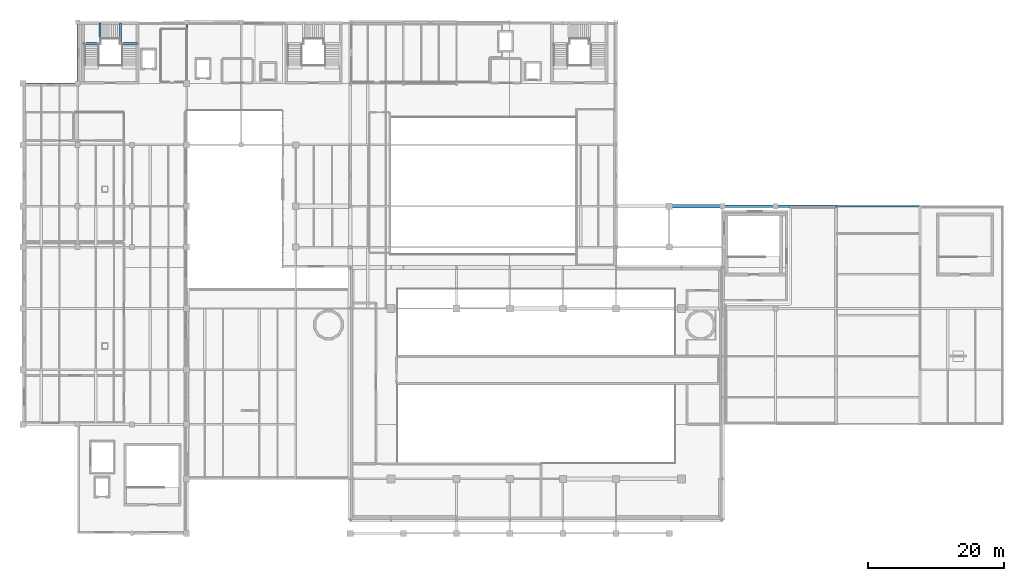
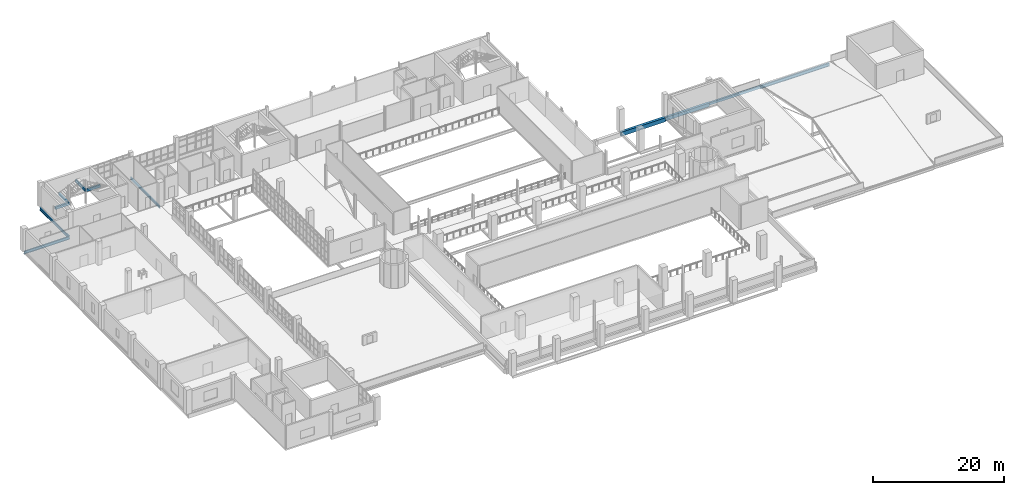
# One storey, part 38 of 85: 11 beams.
"""IFC4 building model written with IfcOpenShell, lengths in metres."""

from ifc_helpers import new_model, si_unit, derived_unit, direction, frame, origin, origin_2d, place, context, subcontext, project, spatial, rectangle, i_section, extrude, material, material_profile, profile_set, type_object, element, save


model = new_model("IFC4")

# Units and contexts
model_context = context("Model", 3, precision=1e-05, world=origin(), true_north=direction((0.0, 1.0)))
body_context = subcontext(model_context, "Body", "Model", "MODEL_VIEW")
ifc_project = project(units=[si_unit("LENGTHUNIT", "METRE"), si_unit("AREAUNIT", "SQUARE_METRE"), si_unit("VOLUMEUNIT", "CUBIC_METRE"), si_unit("PLANEANGLEUNIT", "RADIAN"), si_unit("MASSUNIT", "GRAM", prefix="KILO"), derived_unit("THERMALTRANSMITTANCEUNIT", [(si_unit("POWERUNIT", "WATT"), 1), (si_unit("LENGTHUNIT", "METRE"), -2), (si_unit("THERMODYNAMICTEMPERATUREUNIT", "KELVIN"), -1)])], contexts=[model_context])

# Site, building, storey
site_placement = place(None, origin())
site = spatial("IfcSite", under=ifc_project, at=site_placement, CompositionType="ELEMENT")
building_placement = place(site_placement, origin())
building = spatial("IfcBuilding", under=site, at=building_placement, Name="Nallur Shell Playhouse", CompositionType="ELEMENT")
storey_placement = place(building_placement, frame((0.0, 0.0, 19.800048828125)))
storey = spatial("IfcBuildingStorey", under=building, at=storey_placement, Name="L05", CompositionType="ELEMENT", Elevation=19.800048828125)

# Beams
ifc_material_1 = material(Name="Concrete M35", Category="concrete")
ifc_material_profile_1 = material_profile(ifc_material_1, rectangle(XDim=0.39990234375, YDim=0.64990234375, at=origin_2d()), Name="RC 400x650")
ifc_profile_set_1 = profile_set([ifc_material_profile_1], Name="Concrete M35")
beam_type_1 = type_object("IfcBeamType", Name="BM-RC-400x650", PredefinedType="BEAM", material=ifc_profile_set_1)
beam_1_placement = place(storey_placement, frame((118.60009765625, 56.0, -0.574951171875), z_axis=(1.0, 0.0, 0.0), x_axis=(0.0, 1.0, 0.0)))
element("IfcBeam", 1, at=beam_1_placement, inside=storey, type_object=beam_type_1, Name="L05 girder X-G-975", PredefinedType="BEAM", context=body_context, shape_type="SweptSolid", body=[
    extrude(rectangle(XDim=0.39990234375, YDim=0.64990234375, at=origin_2d()), origin(), (0.0, 0.0, 1.0), 7.7998046875),
])
ifc_material_profile_2 = material_profile(ifc_material_1, rectangle(XDim=0.449951171875, YDim=0.75, at=origin_2d()), Name="RC 450x750")
ifc_profile_set_2 = profile_set([ifc_material_profile_2], Name="Concrete M35")
beam_type_2 = type_object("IfcBeamType", Name="BM-RC-450x750", PredefinedType="BEAM", material=ifc_profile_set_2)
beam_2_placement = place(storey_placement, frame((110.800048828125, 56.0, -0.625), z_axis=(1.0, 0.0, 0.0), x_axis=(0.0, 1.0, 0.0)))
element("IfcBeam", 2, at=beam_2_placement, inside=storey, type_object=beam_type_2, Name="L05 girder X-G-974", PredefinedType="BEAM", context=body_context, shape_type="SweptSolid", body=[
    extrude(rectangle(XDim=0.449951171875, YDim=0.75, at=origin_2d()), origin(), (0.0, 0.0, 1.0), 7.800048828125),
])
ifc_material_profile_3 = material_profile(ifc_material_1, rectangle(XDim=0.300048828125, YDim=0.449951171875, at=origin_2d()), Name="RC 300x450")
ifc_profile_set_3 = profile_set([ifc_material_profile_3], Name="Concrete M35")
beam_type_3 = type_object("IfcBeamType", Name="BM-SPN-300x450", PredefinedType="SPANDREL", material=ifc_profile_set_3)
beam_3_placement = place(storey_placement, frame((126.39990234375, 56.0, -0.485107421875), z_axis=(1.0, 0.0, 0.0), x_axis=(0.0, 1.0, 0.0)))
element("IfcBeam", 3, at=beam_3_placement, inside=storey, type_object=beam_type_3, Name="L05 girder X-G-976", PredefinedType="SPANDREL", context=body_context, shape_type="SweptSolid", body=[
    extrude(rectangle(XDim=0.300048828125, YDim=0.449951171875, at=origin_2d()), origin(), (0.0, 0.0, 1.0), 9.0),
])
beam_4_placement = place(storey_placement, frame((24.820068359375, 79.8798828125, 1.121826171875), z_axis=(1.0, 0.0, 0.0), x_axis=(0.0, 1.0, 0.0)))
element("IfcBeam", 4, at=beam_4_placement, inside=storey, type_object=beam_type_3, Name="Stair ST-06-L05 L1 south bearer beam", PredefinedType="SPANDREL", context=body_context, shape_type="SweptSolid", body=[
    extrude(rectangle(XDim=0.300048828125, YDim=0.449951171875, at=origin_2d()), origin(), (0.0, 0.0, 1.0), 2.559814453125),
])
beam_5_placement = place(storey_placement, frame((27.320068359375, 79.8798828125, 1.121826171875), z_axis=(0.0, 1.0, 0.0), x_axis=(-1.0, 0.0, 0.0)))
element("IfcBeam", 5, at=beam_5_placement, inside=storey, type_object=beam_type_3, Name="Stair ST-06-L05 L1 east bearer beam", PredefinedType="SPANDREL", context=body_context, shape_type="SweptSolid", body=[
    extrude(rectangle(XDim=0.300048828125, YDim=0.449951171875, at=origin_2d()), origin(), (0.0, 0.0, 1.0), 3.0),
])
beam_6_placement = place(storey_placement, frame((30.219970703125, 79.8798828125, 2.528076171875), z_axis=(1.0, 0.0, 0.0), x_axis=(0.0, 1.0, 0.0)))
element("IfcBeam", 6, at=beam_6_placement, inside=storey, type_object=beam_type_3, Name="Stair ST-06-L05 L2 south bearer beam", PredefinedType="SPANDREL", context=body_context, shape_type="SweptSolid", body=[
    extrude(rectangle(XDim=0.300048828125, YDim=0.449951171875, at=origin_2d()), origin(), (0.0, 0.0, 1.0), 2.56005859375),
])
beam_7_placement = place(storey_placement, frame((30.280029296875, 79.8798828125, 2.528076171875), z_axis=(0.0, 1.0, 0.0), x_axis=(-1.0, 0.0, 0.0)))
element("IfcBeam", 7, at=beam_7_placement, inside=storey, type_object=beam_type_3, Name="Stair ST-06-L05 L2 west bearer beam", PredefinedType="SPANDREL", context=body_context, shape_type="SweptSolid", body=[
    extrude(rectangle(XDim=0.300048828125, YDim=0.449951171875, at=origin_2d()), origin(), (0.0, 0.0, 1.0), 3.0),
])
ifc_material_2 = material(Name="Steel E350", Category="steel")
ifc_material_profile_4 = material_profile(ifc_material_2, i_section(OverallWidth=0.18994140625, OverallDepth=0.550048828125, WebThickness=0.01123046875, FlangeThickness=0.019287109375, FilletRadius=0.01806640625, at=origin_2d()), Name="ISMB 550")
ifc_profile_set_4 = profile_set([ifc_material_profile_4], Name="Steel E350")
beam_type_4 = type_object("IfcBeamType", Name="BM-ST-ISMB550", PredefinedType="BEAM", material=ifc_profile_set_4)
beam_8_placement = place(storey_placement, frame((16.0, 74.0, -0.525146484375), z_axis=(1.0, 0.0, 0.0), x_axis=(0.0, 1.0, 0.0)))
element("IfcBeam", 8, at=beam_8_placement, inside=storey, type_object=beam_type_4, Name="L05 girder X-J-985", PredefinedType="BEAM", context=body_context, shape_type="SweptSolid", body=[
    extrude(i_section(OverallWidth=0.18994140625, OverallDepth=0.550048828125, WebThickness=0.01123046875, FlangeThickness=0.019287109375, FilletRadius=0.01806640625, at=origin_2d()), origin(), (0.0, 0.0, 1.0), 8.0),
])
beam_9_placement = place(storey_placement, frame((24.0, 74.0, -0.525146484375), z_axis=(0.0, 1.0, 0.0), x_axis=(-1.0, 0.0, 0.0)))
element("IfcBeam", 9, at=beam_9_placement, inside=storey, type_object=beam_type_4, Name="L05 girder Y-3-1001", PredefinedType="BEAM", context=body_context, shape_type="SweptSolid", body=[
    extrude(i_section(OverallWidth=0.18994140625, OverallDepth=0.550048828125, WebThickness=0.01123046875, FlangeThickness=0.019287109375, FilletRadius=0.01806640625, at=origin_2d()), origin(), (0.0, 0.0, 1.0), 9.0),
])
ifc_material_profile_5 = material_profile(ifc_material_2, i_section(OverallWidth=0.199951171875, OverallDepth=0.449951171875, WebThickness=0.00927734375, FlangeThickness=0.015380859375, FilletRadius=0.013916015625, at=origin_2d()), Name="ISWB 450")
ifc_profile_set_5 = profile_set([ifc_material_profile_5], Name="Steel E350")
beam_type_5 = type_object("IfcBeamType", Name="BM-ST-ISWB450", PredefinedType="BEAM", material=ifc_profile_set_5)
beam_10_placement = place(storey_placement, frame((40.0, 74.0, -0.47509765625), z_axis=(0.0, 1.0, 0.0), x_axis=(-1.0, 0.0, 0.0)))
element("IfcBeam", 10, at=beam_10_placement, inside=storey, type_object=beam_type_5, Name="L05 girder Y-5-1012", PredefinedType="BEAM", context=body_context, shape_type="SweptSolid", body=[
    extrude(i_section(OverallWidth=0.199951171875, OverallDepth=0.449951171875, WebThickness=0.00927734375, FlangeThickness=0.015380859375, FilletRadius=0.013916015625, at=origin_2d()), origin(), (0.0, 0.0, 1.0), 9.0),
])
ifc_material_profile_6 = material_profile(ifc_material_2, i_section(OverallWidth=0.25, OverallDepth=0.60009765625, WebThickness=0.01171875, FlangeThickness=0.023681640625, FilletRadius=0.01708984375, at=origin_2d()), Name="ISWB 600")
ifc_profile_set_6 = profile_set([ifc_material_profile_6], Name="Steel E350")
beam_type_6 = type_object("IfcBeamType", Name="BM-ST-ISWB600", PredefinedType="BEAM", material=ifc_profile_set_6)
beam_11_placement = place(storey_placement, frame((135.39990234375, 56.0, -0.56005859375), z_axis=(1.0, 0.0, 0.0), x_axis=(0.0, 1.0, 0.0)))
element("IfcBeam", 11, at=beam_11_placement, inside=storey, type_object=beam_type_6, Name="L05 girder X-G-977", PredefinedType="BEAM", context=body_context, shape_type="SweptSolid", body=[
    extrude(i_section(OverallWidth=0.25, OverallDepth=0.60009765625, WebThickness=0.01171875, FlangeThickness=0.023681640625, FilletRadius=0.01708984375, at=origin_2d()), origin(), (0.0, 0.0, 1.0), 12.2001953125),
])

save(model, "model.ifc")
